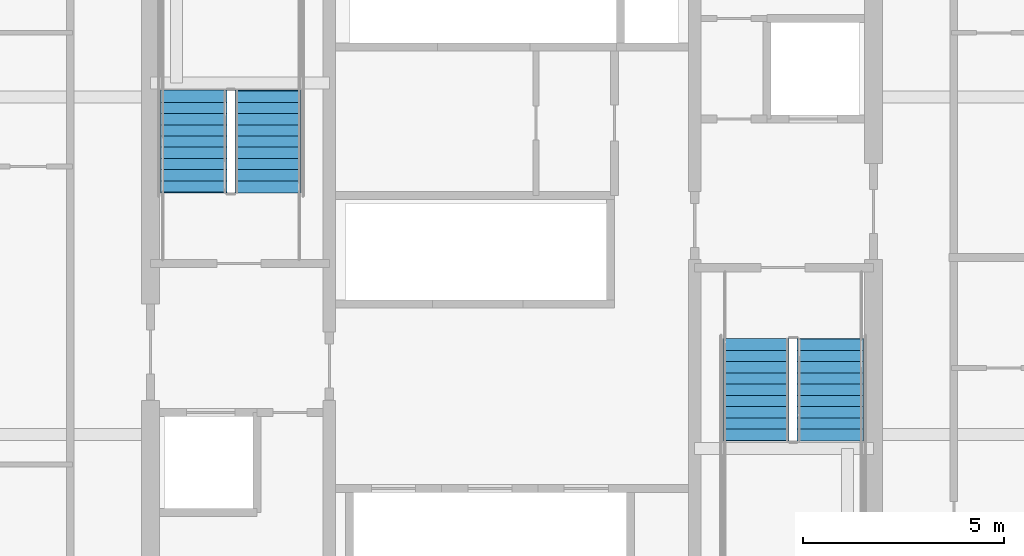
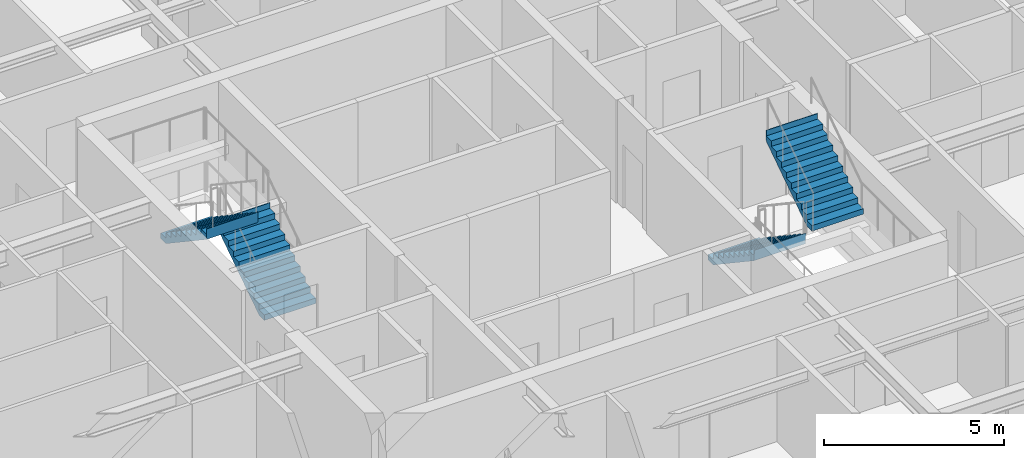
# One storey, part 28 of 34: 4 stair flights, 2 elements without a shape of their own.
"""IFC4 building model written with IfcOpenShell, lengths in metres."""

from ifc_helpers import new_model, si_unit, direction, frame, origin, place, context, subcontext, project, spatial, polygons, material, type_object, element, aggregate, save


model = new_model("IFC4")

# Units and contexts
model_context = context("Model", 3, precision=1e-05, world=origin(), true_north=direction((0.0, 1.0)))
body_context = subcontext(model_context, "Body", "Model", "MODEL_VIEW")
ifc_project = project(units=[si_unit("LENGTHUNIT", "METRE"), si_unit("AREAUNIT", "SQUARE_METRE"), si_unit("VOLUMEUNIT", "CUBIC_METRE"), si_unit("PLANEANGLEUNIT", "RADIAN"), si_unit("MASSUNIT", "GRAM", prefix="KILO")], contexts=[model_context])

# Site, building, storey
site_placement = place(None, origin())
site = spatial("IfcSite", under=ifc_project, at=site_placement, CompositionType="ELEMENT")
building_placement = place(site_placement, origin())
building = spatial("IfcBuilding", under=site, at=building_placement, Name="Serunith Strait Residences", CompositionType="ELEMENT")
storey_placement = place(building_placement, frame((0.0, 0.0, 101.699951171875)))
storey = spatial("IfcBuildingStorey", under=building, at=storey_placement, Name="L25", CompositionType="ELEMENT", Elevation=101.699951171875)

# Stair, stair flights
ifc_material = material(Name="Concrete C50/60", Category="concrete")
stair_type_1 = type_object("IfcStairType", Name="STR-CORE-1", PredefinedType="HALF_TURN_STAIR", material=ifc_material)
stair_1_placement = place(storey_placement, origin())
stair_1 = element("IfcStair", 1, at=stair_1_placement, inside=storey, type_object=stair_type_1, Name="L25 Protected Escape Stair ST-1", PredefinedType="HALF_TURN_STAIR")
stair_flight_type_1 = type_object("IfcStairFlightType", Name="FLT-CORE-1", PredefinedType="STRAIGHT", material=ifc_material)
stair_flight_1_placement = place(storey_placement, frame((26.324951171875, 27.030029296875, 0.0), z_axis=(0.0, 0.0, 1.0), x_axis=(0.0, 1.0, 0.0)))
stair_flight_1 = element("IfcStairFlight", 2, at=stair_flight_1_placement, type_object=stair_flight_type_1, Name="ST-1 flight 1", NumberOfRisers=10, NumberOfTreads=9, PredefinedType="STRAIGHT", RiserHeight=0.1875, TreadLength=0.28, context=body_context, shape_type="Tessellation", body=[
    polygons([(-0.02001953125, -0.824951171875, 0.0), (-0.02001953125, -0.824951171875, 0.1875), (0.280029296875, -0.824951171875, 0.1875), (0.280029296875, -0.824951171875, 0.375), (0.56005859375, -0.824951171875, 0.375), (0.56005859375, -0.824951171875, 0.5625), (0.840087890625, -0.824951171875, 0.5625), (0.840087890625, -0.824951171875, 0.75), (1.1201171875, -0.824951171875, 0.75), (1.1201171875, -0.824951171875, 0.9375), (1.39990234375, -0.824951171875, 0.9375), (1.39990234375, -0.824951171875, 1.125), (1.679931640625, -0.824951171875, 1.125), (1.679931640625, -0.824951171875, 1.3125), (1.9599609375, -0.824951171875, 1.3125), (1.9599609375, -0.824951171875, 1.5), (2.239990234375, -0.824951171875, 1.5), (2.239990234375, -0.824951171875, 1.6875), (2.52001953125, -0.824951171875, 1.6875), (2.52001953125, -0.824951171875, 1.875), (2.5400390625, -0.824951171875, 1.875), (2.5400390625, -0.824951171875, 1.81494140625), (2.52001953125, -0.824951171875, 1.507080078125), (0.26953125, -0.824951171875, 0.0), (-0.02001953125, -0.41259765625, 0.0), (-0.02001953125, -0.41259765625, 0.1875), (0.280029296875, -0.41259765625, 0.1875), (0.280029296875, -0.41259765625, 0.375), (0.56005859375, -0.41259765625, 0.375), (0.56005859375, -0.41259765625, 0.5625), (0.840087890625, -0.41259765625, 0.5625), (0.840087890625, -0.41259765625, 0.75), (1.1201171875, -0.41259765625, 0.75), (1.1201171875, -0.41259765625, 0.9375), (1.39990234375, -0.41259765625, 0.9375), (1.39990234375, -0.41259765625, 1.125), (1.679931640625, -0.41259765625, 1.125), (1.679931640625, -0.41259765625, 1.3125), (1.9599609375, -0.41259765625, 1.3125), (1.9599609375, -0.41259765625, 1.5), (2.239990234375, -0.41259765625, 1.5), (2.239990234375, -0.41259765625, 1.6875), (2.52001953125, -0.41259765625, 1.6875), (2.52001953125, -0.41259765625, 1.875), (2.5400390625, -0.41259765625, 1.875), (2.5400390625, -0.41259765625, 1.81494140625), (2.52001953125, -0.41259765625, 1.507080078125), (0.26953125, -0.41259765625, 0.0), (-0.02001953125, 0.0, 0.0), (-0.02001953125, 0.0, 0.1875), (0.280029296875, 0.0, 0.1875), (0.280029296875, 0.0, 0.375), (0.56005859375, 0.0, 0.375), (0.56005859375, 0.0, 0.5625), (0.840087890625, 0.0, 0.5625), (0.840087890625, 0.0, 0.75), (1.1201171875, 0.0, 0.75), (1.1201171875, 0.0, 0.9375), (1.39990234375, 0.0, 0.9375), (1.39990234375, 0.0, 1.125), (1.679931640625, 0.0, 1.125), (1.679931640625, 0.0, 1.3125), (1.9599609375, 0.0, 1.3125), (1.9599609375, 0.0, 1.5), (2.239990234375, 0.0, 1.5), (2.239990234375, 0.0, 1.6875), (2.52001953125, 0.0, 1.6875), (2.52001953125, 0.0, 1.875), (2.5400390625, 0.0, 1.875), (2.5400390625, 0.0, 1.81494140625), (2.52001953125, 0.0, 1.507080078125), (0.26953125, 0.0, 0.0), (-0.02001953125, 0.41259765625, 0.0), (-0.02001953125, 0.41259765625, 0.1875), (0.280029296875, 0.41259765625, 0.1875), (0.280029296875, 0.41259765625, 0.375), (0.56005859375, 0.41259765625, 0.375), (0.56005859375, 0.41259765625, 0.5625), (0.840087890625, 0.41259765625, 0.5625), (0.840087890625, 0.41259765625, 0.75), (1.1201171875, 0.41259765625, 0.75), (1.1201171875, 0.41259765625, 0.9375), (1.39990234375, 0.41259765625, 0.9375), (1.39990234375, 0.41259765625, 1.125), (1.679931640625, 0.41259765625, 1.125), (1.679931640625, 0.41259765625, 1.3125), (1.9599609375, 0.41259765625, 1.3125), (1.9599609375, 0.41259765625, 1.5), (2.239990234375, 0.41259765625, 1.5), (2.239990234375, 0.41259765625, 1.6875), (2.52001953125, 0.41259765625, 1.6875), (2.52001953125, 0.41259765625, 1.875), (2.5400390625, 0.41259765625, 1.875), (2.5400390625, 0.41259765625, 1.81494140625), (2.52001953125, 0.41259765625, 1.507080078125), (0.26953125, 0.41259765625, 0.0), (-0.02001953125, 0.824951171875, 0.0), (-0.02001953125, 0.824951171875, 0.1875), (0.280029296875, 0.824951171875, 0.1875), (0.280029296875, 0.824951171875, 0.375), (0.56005859375, 0.824951171875, 0.375), (0.56005859375, 0.824951171875, 0.5625), (0.840087890625, 0.824951171875, 0.5625), (0.840087890625, 0.824951171875, 0.75), (1.1201171875, 0.824951171875, 0.75), (1.1201171875, 0.824951171875, 0.9375), (1.39990234375, 0.824951171875, 0.9375), (1.39990234375, 0.824951171875, 1.125), (1.679931640625, 0.824951171875, 1.125), (1.679931640625, 0.824951171875, 1.3125), (1.9599609375, 0.824951171875, 1.3125), (1.9599609375, 0.824951171875, 1.5), (2.239990234375, 0.824951171875, 1.5), (2.239990234375, 0.824951171875, 1.6875), (2.52001953125, 0.824951171875, 1.6875), (2.52001953125, 0.824951171875, 1.875), (2.5400390625, 0.824951171875, 1.875), (2.5400390625, 0.824951171875, 1.81494140625), (2.52001953125, 0.824951171875, 1.507080078125), (0.26953125, 0.824951171875, 0.0)], [[[1, 2, 26, 25]], [[2, 3, 27, 26]], [[3, 4, 28, 27]], [[4, 5, 29, 28]], [[5, 6, 30, 29]], [[6, 7, 31, 30]], [[7, 8, 32, 31]], [[8, 9, 33, 32]], [[9, 10, 34, 33]], [[10, 11, 35, 34]], [[11, 12, 36, 35]], [[12, 13, 37, 36]], [[13, 14, 38, 37]], [[14, 15, 39, 38]], [[15, 16, 40, 39]], [[16, 17, 41, 40]], [[17, 18, 42, 41]], [[18, 19, 43, 42]], [[19, 20, 44, 43]], [[20, 21, 45, 44]], [[21, 22, 46, 45]], [[22, 23, 47, 46]], [[23, 24, 48, 47]], [[24, 1, 25, 48]], [[25, 26, 50, 49]], [[26, 27, 51, 50]], [[27, 28, 52, 51]], [[28, 29, 53, 52]], [[29, 30, 54, 53]], [[30, 31, 55, 54]], [[31, 32, 56, 55]], [[32, 33, 57, 56]], [[33, 34, 58, 57]], [[34, 35, 59, 58]], [[35, 36, 60, 59]], [[36, 37, 61, 60]], [[37, 38, 62, 61]], [[38, 39, 63, 62]], [[39, 40, 64, 63]], [[40, 41, 65, 64]], [[41, 42, 66, 65]], [[42, 43, 67, 66]], [[43, 44, 68, 67]], [[44, 45, 69, 68]], [[45, 46, 70, 69]], [[46, 47, 71, 70]], [[47, 48, 72, 71]], [[48, 25, 49, 72]], [[49, 50, 74, 73]], [[50, 51, 75, 74]], [[51, 52, 76, 75]], [[52, 53, 77, 76]], [[53, 54, 78, 77]], [[54, 55, 79, 78]], [[55, 56, 80, 79]], [[56, 57, 81, 80]], [[57, 58, 82, 81]], [[58, 59, 83, 82]], [[59, 60, 84, 83]], [[60, 61, 85, 84]], [[61, 62, 86, 85]], [[62, 63, 87, 86]], [[63, 64, 88, 87]], [[64, 65, 89, 88]], [[65, 66, 90, 89]], [[66, 67, 91, 90]], [[67, 68, 92, 91]], [[68, 69, 93, 92]], [[69, 70, 94, 93]], [[70, 71, 95, 94]], [[71, 72, 96, 95]], [[72, 49, 73, 96]], [[73, 74, 98, 97]], [[74, 75, 99, 98]], [[75, 76, 100, 99]], [[76, 77, 101, 100]], [[77, 78, 102, 101]], [[78, 79, 103, 102]], [[79, 80, 104, 103]], [[80, 81, 105, 104]], [[81, 82, 106, 105]], [[82, 83, 107, 106]], [[83, 84, 108, 107]], [[84, 85, 109, 108]], [[85, 86, 110, 109]], [[86, 87, 111, 110]], [[87, 88, 112, 111]], [[88, 89, 113, 112]], [[89, 90, 114, 113]], [[90, 91, 115, 114]], [[91, 92, 116, 115]], [[92, 93, 117, 116]], [[93, 94, 118, 117]], [[94, 95, 119, 118]], [[95, 96, 120, 119]], [[96, 73, 97, 120]], [[24, 23, 22, 21, 20, 19, 18, 17, 16, 15, 14, 13, 12, 11, 10, 9, 8, 7, 6, 5, 4, 3, 2, 1]], [[97, 98, 99, 100, 101, 102, 103, 104, 105, 106, 107, 108, 109, 110, 111, 112, 113, 114, 115, 116, 117, 118, 119, 120]]], closed=True),
])
stair_flight_2_placement = place(storey_placement, frame((24.47509765625, 29.550048828125, 1.875), z_axis=(0.0, 0.0, 1.0), x_axis=(0.0, -1.0, 0.0)))
stair_flight_2 = element("IfcStairFlight", 3, at=stair_flight_2_placement, type_object=stair_flight_type_1, Name="ST-1 flight 2", NumberOfRisers=10, NumberOfTreads=9, PredefinedType="STRAIGHT", RiserHeight=0.1875, TreadLength=0.28, context=body_context, shape_type="Tessellation", body=[
    polygons([(-0.02001953125, -0.824951171875, 0.0), (-0.02001953125, -0.824951171875, 0.1875), (0.280029296875, -0.824951171875, 0.1875), (0.280029296875, -0.824951171875, 0.375), (0.56005859375, -0.824951171875, 0.375), (0.56005859375, -0.824951171875, 0.5625), (0.840087890625, -0.824951171875, 0.5625), (0.840087890625, -0.824951171875, 0.75), (1.1201171875, -0.824951171875, 0.75), (1.1201171875, -0.824951171875, 0.9375), (1.39990234375, -0.824951171875, 0.9375), (1.39990234375, -0.824951171875, 1.125), (1.679931640625, -0.824951171875, 1.125), (1.679931640625, -0.824951171875, 1.3125), (1.9599609375, -0.824951171875, 1.3125), (1.9599609375, -0.824951171875, 1.5), (2.239990234375, -0.824951171875, 1.5), (2.239990234375, -0.824951171875, 1.6875), (2.52001953125, -0.824951171875, 1.6875), (2.52001953125, -0.824951171875, 1.875), (2.5400390625, -0.824951171875, 1.875), (2.5400390625, -0.824951171875, 1.81494140625), (2.52001953125, -0.824951171875, 1.507080078125), (0.26953125, -0.824951171875, 0.0), (-0.02001953125, -0.41259765625, 0.0), (-0.02001953125, -0.41259765625, 0.1875), (0.280029296875, -0.41259765625, 0.1875), (0.280029296875, -0.41259765625, 0.375), (0.56005859375, -0.41259765625, 0.375), (0.56005859375, -0.41259765625, 0.5625), (0.840087890625, -0.41259765625, 0.5625), (0.840087890625, -0.41259765625, 0.75), (1.1201171875, -0.41259765625, 0.75), (1.1201171875, -0.41259765625, 0.9375), (1.39990234375, -0.41259765625, 0.9375), (1.39990234375, -0.41259765625, 1.125), (1.679931640625, -0.41259765625, 1.125), (1.679931640625, -0.41259765625, 1.3125), (1.9599609375, -0.41259765625, 1.3125), (1.9599609375, -0.41259765625, 1.5), (2.239990234375, -0.41259765625, 1.5), (2.239990234375, -0.41259765625, 1.6875), (2.52001953125, -0.41259765625, 1.6875), (2.52001953125, -0.41259765625, 1.875), (2.5400390625, -0.41259765625, 1.875), (2.5400390625, -0.41259765625, 1.81494140625), (2.52001953125, -0.41259765625, 1.507080078125), (0.26953125, -0.41259765625, 0.0), (-0.02001953125, 0.0, 0.0), (-0.02001953125, 0.0, 0.1875), (0.280029296875, 0.0, 0.1875), (0.280029296875, 0.0, 0.375), (0.56005859375, 0.0, 0.375), (0.56005859375, 0.0, 0.5625), (0.840087890625, 0.0, 0.5625), (0.840087890625, 0.0, 0.75), (1.1201171875, 0.0, 0.75), (1.1201171875, 0.0, 0.9375), (1.39990234375, 0.0, 0.9375), (1.39990234375, 0.0, 1.125), (1.679931640625, 0.0, 1.125), (1.679931640625, 0.0, 1.3125), (1.9599609375, 0.0, 1.3125), (1.9599609375, 0.0, 1.5), (2.239990234375, 0.0, 1.5), (2.239990234375, 0.0, 1.6875), (2.52001953125, 0.0, 1.6875), (2.52001953125, 0.0, 1.875), (2.5400390625, 0.0, 1.875), (2.5400390625, 0.0, 1.81494140625), (2.52001953125, 0.0, 1.507080078125), (0.26953125, 0.0, 0.0), (-0.02001953125, 0.41259765625, 0.0), (-0.02001953125, 0.41259765625, 0.1875), (0.280029296875, 0.41259765625, 0.1875), (0.280029296875, 0.41259765625, 0.375), (0.56005859375, 0.41259765625, 0.375), (0.56005859375, 0.41259765625, 0.5625), (0.840087890625, 0.41259765625, 0.5625), (0.840087890625, 0.41259765625, 0.75), (1.1201171875, 0.41259765625, 0.75), (1.1201171875, 0.41259765625, 0.9375), (1.39990234375, 0.41259765625, 0.9375), (1.39990234375, 0.41259765625, 1.125), (1.679931640625, 0.41259765625, 1.125), (1.679931640625, 0.41259765625, 1.3125), (1.9599609375, 0.41259765625, 1.3125), (1.9599609375, 0.41259765625, 1.5), (2.239990234375, 0.41259765625, 1.5), (2.239990234375, 0.41259765625, 1.6875), (2.52001953125, 0.41259765625, 1.6875), (2.52001953125, 0.41259765625, 1.875), (2.5400390625, 0.41259765625, 1.875), (2.5400390625, 0.41259765625, 1.81494140625), (2.52001953125, 0.41259765625, 1.507080078125), (0.26953125, 0.41259765625, 0.0), (-0.02001953125, 0.824951171875, 0.0), (-0.02001953125, 0.824951171875, 0.1875), (0.280029296875, 0.824951171875, 0.1875), (0.280029296875, 0.824951171875, 0.375), (0.56005859375, 0.824951171875, 0.375), (0.56005859375, 0.824951171875, 0.5625), (0.840087890625, 0.824951171875, 0.5625), (0.840087890625, 0.824951171875, 0.75), (1.1201171875, 0.824951171875, 0.75), (1.1201171875, 0.824951171875, 0.9375), (1.39990234375, 0.824951171875, 0.9375), (1.39990234375, 0.824951171875, 1.125), (1.679931640625, 0.824951171875, 1.125), (1.679931640625, 0.824951171875, 1.3125), (1.9599609375, 0.824951171875, 1.3125), (1.9599609375, 0.824951171875, 1.5), (2.239990234375, 0.824951171875, 1.5), (2.239990234375, 0.824951171875, 1.6875), (2.52001953125, 0.824951171875, 1.6875), (2.52001953125, 0.824951171875, 1.875), (2.5400390625, 0.824951171875, 1.875), (2.5400390625, 0.824951171875, 1.81494140625), (2.52001953125, 0.824951171875, 1.507080078125), (0.26953125, 0.824951171875, 0.0)], [[[1, 2, 26, 25]], [[2, 3, 27, 26]], [[3, 4, 28, 27]], [[4, 5, 29, 28]], [[5, 6, 30, 29]], [[6, 7, 31, 30]], [[7, 8, 32, 31]], [[8, 9, 33, 32]], [[9, 10, 34, 33]], [[10, 11, 35, 34]], [[11, 12, 36, 35]], [[12, 13, 37, 36]], [[13, 14, 38, 37]], [[14, 15, 39, 38]], [[15, 16, 40, 39]], [[16, 17, 41, 40]], [[17, 18, 42, 41]], [[18, 19, 43, 42]], [[19, 20, 44, 43]], [[20, 21, 45, 44]], [[21, 22, 46, 45]], [[22, 23, 47, 46]], [[23, 24, 48, 47]], [[24, 1, 25, 48]], [[25, 26, 50, 49]], [[26, 27, 51, 50]], [[27, 28, 52, 51]], [[28, 29, 53, 52]], [[29, 30, 54, 53]], [[30, 31, 55, 54]], [[31, 32, 56, 55]], [[32, 33, 57, 56]], [[33, 34, 58, 57]], [[34, 35, 59, 58]], [[35, 36, 60, 59]], [[36, 37, 61, 60]], [[37, 38, 62, 61]], [[38, 39, 63, 62]], [[39, 40, 64, 63]], [[40, 41, 65, 64]], [[41, 42, 66, 65]], [[42, 43, 67, 66]], [[43, 44, 68, 67]], [[44, 45, 69, 68]], [[45, 46, 70, 69]], [[46, 47, 71, 70]], [[47, 48, 72, 71]], [[48, 25, 49, 72]], [[49, 50, 74, 73]], [[50, 51, 75, 74]], [[51, 52, 76, 75]], [[52, 53, 77, 76]], [[53, 54, 78, 77]], [[54, 55, 79, 78]], [[55, 56, 80, 79]], [[56, 57, 81, 80]], [[57, 58, 82, 81]], [[58, 59, 83, 82]], [[59, 60, 84, 83]], [[60, 61, 85, 84]], [[61, 62, 86, 85]], [[62, 63, 87, 86]], [[63, 64, 88, 87]], [[64, 65, 89, 88]], [[65, 66, 90, 89]], [[66, 67, 91, 90]], [[67, 68, 92, 91]], [[68, 69, 93, 92]], [[69, 70, 94, 93]], [[70, 71, 95, 94]], [[71, 72, 96, 95]], [[72, 49, 73, 96]], [[73, 74, 98, 97]], [[74, 75, 99, 98]], [[75, 76, 100, 99]], [[76, 77, 101, 100]], [[77, 78, 102, 101]], [[78, 79, 103, 102]], [[79, 80, 104, 103]], [[80, 81, 105, 104]], [[81, 82, 106, 105]], [[82, 83, 107, 106]], [[83, 84, 108, 107]], [[84, 85, 109, 108]], [[85, 86, 110, 109]], [[86, 87, 111, 110]], [[87, 88, 112, 111]], [[88, 89, 113, 112]], [[89, 90, 114, 113]], [[90, 91, 115, 114]], [[91, 92, 116, 115]], [[92, 93, 117, 116]], [[93, 94, 118, 117]], [[94, 95, 119, 118]], [[95, 96, 120, 119]], [[96, 73, 97, 120]], [[24, 23, 22, 21, 20, 19, 18, 17, 16, 15, 14, 13, 12, 11, 10, 9, 8, 7, 6, 5, 4, 3, 2, 1]], [[97, 98, 99, 100, 101, 102, 103, 104, 105, 106, 107, 108, 109, 110, 111, 112, 113, 114, 115, 116, 117, 118, 119, 120]]], closed=True),
])
aggregate(stair_1, [stair_flight_1, stair_flight_2])

stair_type_2 = type_object("IfcStairType", Name="STR-CORE-2", PredefinedType="HALF_TURN_STAIR", material=ifc_material)
stair_2_placement = place(storey_placement, origin())
stair_2 = element("IfcStair", 4, at=stair_2_placement, inside=storey, type_object=stair_type_2, Name="L25 Protected Escape Stair ST-2", PredefinedType="HALF_TURN_STAIR")
stair_flight_type_2 = type_object("IfcStairFlightType", Name="FLT-CORE-2", PredefinedType="STRAIGHT", material=ifc_material)
stair_flight_3_placement = place(storey_placement, frame((38.47509765625, 23.3701171875, 0.0), z_axis=(0.0, 0.0, 1.0), x_axis=(0.0, -1.0, 0.0)))
stair_flight_3 = element("IfcStairFlight", 5, at=stair_flight_3_placement, type_object=stair_flight_type_2, Name="ST-2 flight 1", NumberOfRisers=10, NumberOfTreads=9, PredefinedType="STRAIGHT", RiserHeight=0.1875, TreadLength=0.28, context=body_context, shape_type="Tessellation", body=[
    polygons([(-0.02001953125, -0.824951171875, 0.0), (-0.02001953125, -0.824951171875, 0.1875), (0.280029296875, -0.824951171875, 0.1875), (0.280029296875, -0.824951171875, 0.375), (0.56005859375, -0.824951171875, 0.375), (0.56005859375, -0.824951171875, 0.5625), (0.840087890625, -0.824951171875, 0.5625), (0.840087890625, -0.824951171875, 0.75), (1.1201171875, -0.824951171875, 0.75), (1.1201171875, -0.824951171875, 0.9375), (1.39990234375, -0.824951171875, 0.9375), (1.39990234375, -0.824951171875, 1.125), (1.679931640625, -0.824951171875, 1.125), (1.679931640625, -0.824951171875, 1.3125), (1.9599609375, -0.824951171875, 1.3125), (1.9599609375, -0.824951171875, 1.5), (2.239990234375, -0.824951171875, 1.5), (2.239990234375, -0.824951171875, 1.6875), (2.52001953125, -0.824951171875, 1.6875), (2.52001953125, -0.824951171875, 1.875), (2.5400390625, -0.824951171875, 1.875), (2.5400390625, -0.824951171875, 1.81494140625), (2.52001953125, -0.824951171875, 1.507080078125), (0.26953125, -0.824951171875, 0.0), (-0.02001953125, -0.41259765625, 0.0), (-0.02001953125, -0.41259765625, 0.1875), (0.280029296875, -0.41259765625, 0.1875), (0.280029296875, -0.41259765625, 0.375), (0.56005859375, -0.41259765625, 0.375), (0.56005859375, -0.41259765625, 0.5625), (0.840087890625, -0.41259765625, 0.5625), (0.840087890625, -0.41259765625, 0.75), (1.1201171875, -0.41259765625, 0.75), (1.1201171875, -0.41259765625, 0.9375), (1.39990234375, -0.41259765625, 0.9375), (1.39990234375, -0.41259765625, 1.125), (1.679931640625, -0.41259765625, 1.125), (1.679931640625, -0.41259765625, 1.3125), (1.9599609375, -0.41259765625, 1.3125), (1.9599609375, -0.41259765625, 1.5), (2.239990234375, -0.41259765625, 1.5), (2.239990234375, -0.41259765625, 1.6875), (2.52001953125, -0.41259765625, 1.6875), (2.52001953125, -0.41259765625, 1.875), (2.5400390625, -0.41259765625, 1.875), (2.5400390625, -0.41259765625, 1.81494140625), (2.52001953125, -0.41259765625, 1.507080078125), (0.26953125, -0.41259765625, 0.0), (-0.02001953125, 0.0, 0.0), (-0.02001953125, 0.0, 0.1875), (0.280029296875, 0.0, 0.1875), (0.280029296875, 0.0, 0.375), (0.56005859375, 0.0, 0.375), (0.56005859375, 0.0, 0.5625), (0.840087890625, 0.0, 0.5625), (0.840087890625, 0.0, 0.75), (1.1201171875, 0.0, 0.75), (1.1201171875, 0.0, 0.9375), (1.39990234375, 0.0, 0.9375), (1.39990234375, 0.0, 1.125), (1.679931640625, 0.0, 1.125), (1.679931640625, 0.0, 1.3125), (1.9599609375, 0.0, 1.3125), (1.9599609375, 0.0, 1.5), (2.239990234375, 0.0, 1.5), (2.239990234375, 0.0, 1.6875), (2.52001953125, 0.0, 1.6875), (2.52001953125, 0.0, 1.875), (2.5400390625, 0.0, 1.875), (2.5400390625, 0.0, 1.81494140625), (2.52001953125, 0.0, 1.507080078125), (0.26953125, 0.0, 0.0), (-0.02001953125, 0.41259765625, 0.0), (-0.02001953125, 0.41259765625, 0.1875), (0.280029296875, 0.41259765625, 0.1875), (0.280029296875, 0.41259765625, 0.375), (0.56005859375, 0.41259765625, 0.375), (0.56005859375, 0.41259765625, 0.5625), (0.840087890625, 0.41259765625, 0.5625), (0.840087890625, 0.41259765625, 0.75), (1.1201171875, 0.41259765625, 0.75), (1.1201171875, 0.41259765625, 0.9375), (1.39990234375, 0.41259765625, 0.9375), (1.39990234375, 0.41259765625, 1.125), (1.679931640625, 0.41259765625, 1.125), (1.679931640625, 0.41259765625, 1.3125), (1.9599609375, 0.41259765625, 1.3125), (1.9599609375, 0.41259765625, 1.5), (2.239990234375, 0.41259765625, 1.5), (2.239990234375, 0.41259765625, 1.6875), (2.52001953125, 0.41259765625, 1.6875), (2.52001953125, 0.41259765625, 1.875), (2.5400390625, 0.41259765625, 1.875), (2.5400390625, 0.41259765625, 1.81494140625), (2.52001953125, 0.41259765625, 1.507080078125), (0.26953125, 0.41259765625, 0.0), (-0.02001953125, 0.824951171875, 0.0), (-0.02001953125, 0.824951171875, 0.1875), (0.280029296875, 0.824951171875, 0.1875), (0.280029296875, 0.824951171875, 0.375), (0.56005859375, 0.824951171875, 0.375), (0.56005859375, 0.824951171875, 0.5625), (0.840087890625, 0.824951171875, 0.5625), (0.840087890625, 0.824951171875, 0.75), (1.1201171875, 0.824951171875, 0.75), (1.1201171875, 0.824951171875, 0.9375), (1.39990234375, 0.824951171875, 0.9375), (1.39990234375, 0.824951171875, 1.125), (1.679931640625, 0.824951171875, 1.125), (1.679931640625, 0.824951171875, 1.3125), (1.9599609375, 0.824951171875, 1.3125), (1.9599609375, 0.824951171875, 1.5), (2.239990234375, 0.824951171875, 1.5), (2.239990234375, 0.824951171875, 1.6875), (2.52001953125, 0.824951171875, 1.6875), (2.52001953125, 0.824951171875, 1.875), (2.5400390625, 0.824951171875, 1.875), (2.5400390625, 0.824951171875, 1.81494140625), (2.52001953125, 0.824951171875, 1.507080078125), (0.26953125, 0.824951171875, 0.0)], [[[1, 2, 26, 25]], [[2, 3, 27, 26]], [[3, 4, 28, 27]], [[4, 5, 29, 28]], [[5, 6, 30, 29]], [[6, 7, 31, 30]], [[7, 8, 32, 31]], [[8, 9, 33, 32]], [[9, 10, 34, 33]], [[10, 11, 35, 34]], [[11, 12, 36, 35]], [[12, 13, 37, 36]], [[13, 14, 38, 37]], [[14, 15, 39, 38]], [[15, 16, 40, 39]], [[16, 17, 41, 40]], [[17, 18, 42, 41]], [[18, 19, 43, 42]], [[19, 20, 44, 43]], [[20, 21, 45, 44]], [[21, 22, 46, 45]], [[22, 23, 47, 46]], [[23, 24, 48, 47]], [[24, 1, 25, 48]], [[25, 26, 50, 49]], [[26, 27, 51, 50]], [[27, 28, 52, 51]], [[28, 29, 53, 52]], [[29, 30, 54, 53]], [[30, 31, 55, 54]], [[31, 32, 56, 55]], [[32, 33, 57, 56]], [[33, 34, 58, 57]], [[34, 35, 59, 58]], [[35, 36, 60, 59]], [[36, 37, 61, 60]], [[37, 38, 62, 61]], [[38, 39, 63, 62]], [[39, 40, 64, 63]], [[40, 41, 65, 64]], [[41, 42, 66, 65]], [[42, 43, 67, 66]], [[43, 44, 68, 67]], [[44, 45, 69, 68]], [[45, 46, 70, 69]], [[46, 47, 71, 70]], [[47, 48, 72, 71]], [[48, 25, 49, 72]], [[49, 50, 74, 73]], [[50, 51, 75, 74]], [[51, 52, 76, 75]], [[52, 53, 77, 76]], [[53, 54, 78, 77]], [[54, 55, 79, 78]], [[55, 56, 80, 79]], [[56, 57, 81, 80]], [[57, 58, 82, 81]], [[58, 59, 83, 82]], [[59, 60, 84, 83]], [[60, 61, 85, 84]], [[61, 62, 86, 85]], [[62, 63, 87, 86]], [[63, 64, 88, 87]], [[64, 65, 89, 88]], [[65, 66, 90, 89]], [[66, 67, 91, 90]], [[67, 68, 92, 91]], [[68, 69, 93, 92]], [[69, 70, 94, 93]], [[70, 71, 95, 94]], [[71, 72, 96, 95]], [[72, 49, 73, 96]], [[73, 74, 98, 97]], [[74, 75, 99, 98]], [[75, 76, 100, 99]], [[76, 77, 101, 100]], [[77, 78, 102, 101]], [[78, 79, 103, 102]], [[79, 80, 104, 103]], [[80, 81, 105, 104]], [[81, 82, 106, 105]], [[82, 83, 107, 106]], [[83, 84, 108, 107]], [[84, 85, 109, 108]], [[85, 86, 110, 109]], [[86, 87, 111, 110]], [[87, 88, 112, 111]], [[88, 89, 113, 112]], [[89, 90, 114, 113]], [[90, 91, 115, 114]], [[91, 92, 116, 115]], [[92, 93, 117, 116]], [[93, 94, 118, 117]], [[94, 95, 119, 118]], [[95, 96, 120, 119]], [[96, 73, 97, 120]], [[24, 23, 22, 21, 20, 19, 18, 17, 16, 15, 14, 13, 12, 11, 10, 9, 8, 7, 6, 5, 4, 3, 2, 1]], [[97, 98, 99, 100, 101, 102, 103, 104, 105, 106, 107, 108, 109, 110, 111, 112, 113, 114, 115, 116, 117, 118, 119, 120]]], closed=True),
])
stair_flight_4_placement = place(storey_placement, frame((40.324951171875, 20.85009765625, 1.875), z_axis=(0.0, 0.0, 1.0), x_axis=(0.0, 1.0, 0.0)))
stair_flight_4 = element("IfcStairFlight", 6, at=stair_flight_4_placement, type_object=stair_flight_type_2, Name="ST-2 flight 2", NumberOfRisers=10, NumberOfTreads=9, PredefinedType="STRAIGHT", RiserHeight=0.1875, TreadLength=0.28, context=body_context, shape_type="Tessellation", body=[
    polygons([(-0.02001953125, -0.824951171875, 0.0), (-0.02001953125, -0.824951171875, 0.1875), (0.280029296875, -0.824951171875, 0.1875), (0.280029296875, -0.824951171875, 0.375), (0.56005859375, -0.824951171875, 0.375), (0.56005859375, -0.824951171875, 0.5625), (0.840087890625, -0.824951171875, 0.5625), (0.840087890625, -0.824951171875, 0.75), (1.1201171875, -0.824951171875, 0.75), (1.1201171875, -0.824951171875, 0.9375), (1.39990234375, -0.824951171875, 0.9375), (1.39990234375, -0.824951171875, 1.125), (1.679931640625, -0.824951171875, 1.125), (1.679931640625, -0.824951171875, 1.3125), (1.9599609375, -0.824951171875, 1.3125), (1.9599609375, -0.824951171875, 1.5), (2.239990234375, -0.824951171875, 1.5), (2.239990234375, -0.824951171875, 1.6875), (2.52001953125, -0.824951171875, 1.6875), (2.52001953125, -0.824951171875, 1.875), (2.5400390625, -0.824951171875, 1.875), (2.5400390625, -0.824951171875, 1.81494140625), (2.52001953125, -0.824951171875, 1.507080078125), (0.26953125, -0.824951171875, 0.0), (-0.02001953125, -0.41259765625, 0.0), (-0.02001953125, -0.41259765625, 0.1875), (0.280029296875, -0.41259765625, 0.1875), (0.280029296875, -0.41259765625, 0.375), (0.56005859375, -0.41259765625, 0.375), (0.56005859375, -0.41259765625, 0.5625), (0.840087890625, -0.41259765625, 0.5625), (0.840087890625, -0.41259765625, 0.75), (1.1201171875, -0.41259765625, 0.75), (1.1201171875, -0.41259765625, 0.9375), (1.39990234375, -0.41259765625, 0.9375), (1.39990234375, -0.41259765625, 1.125), (1.679931640625, -0.41259765625, 1.125), (1.679931640625, -0.41259765625, 1.3125), (1.9599609375, -0.41259765625, 1.3125), (1.9599609375, -0.41259765625, 1.5), (2.239990234375, -0.41259765625, 1.5), (2.239990234375, -0.41259765625, 1.6875), (2.52001953125, -0.41259765625, 1.6875), (2.52001953125, -0.41259765625, 1.875), (2.5400390625, -0.41259765625, 1.875), (2.5400390625, -0.41259765625, 1.81494140625), (2.52001953125, -0.41259765625, 1.507080078125), (0.26953125, -0.41259765625, 0.0), (-0.02001953125, 0.0, 0.0), (-0.02001953125, 0.0, 0.1875), (0.280029296875, 0.0, 0.1875), (0.280029296875, 0.0, 0.375), (0.56005859375, 0.0, 0.375), (0.56005859375, 0.0, 0.5625), (0.840087890625, 0.0, 0.5625), (0.840087890625, 0.0, 0.75), (1.1201171875, 0.0, 0.75), (1.1201171875, 0.0, 0.9375), (1.39990234375, 0.0, 0.9375), (1.39990234375, 0.0, 1.125), (1.679931640625, 0.0, 1.125), (1.679931640625, 0.0, 1.3125), (1.9599609375, 0.0, 1.3125), (1.9599609375, 0.0, 1.5), (2.239990234375, 0.0, 1.5), (2.239990234375, 0.0, 1.6875), (2.52001953125, 0.0, 1.6875), (2.52001953125, 0.0, 1.875), (2.5400390625, 0.0, 1.875), (2.5400390625, 0.0, 1.81494140625), (2.52001953125, 0.0, 1.507080078125), (0.26953125, 0.0, 0.0), (-0.02001953125, 0.41259765625, 0.0), (-0.02001953125, 0.41259765625, 0.1875), (0.280029296875, 0.41259765625, 0.1875), (0.280029296875, 0.41259765625, 0.375), (0.56005859375, 0.41259765625, 0.375), (0.56005859375, 0.41259765625, 0.5625), (0.840087890625, 0.41259765625, 0.5625), (0.840087890625, 0.41259765625, 0.75), (1.1201171875, 0.41259765625, 0.75), (1.1201171875, 0.41259765625, 0.9375), (1.39990234375, 0.41259765625, 0.9375), (1.39990234375, 0.41259765625, 1.125), (1.679931640625, 0.41259765625, 1.125), (1.679931640625, 0.41259765625, 1.3125), (1.9599609375, 0.41259765625, 1.3125), (1.9599609375, 0.41259765625, 1.5), (2.239990234375, 0.41259765625, 1.5), (2.239990234375, 0.41259765625, 1.6875), (2.52001953125, 0.41259765625, 1.6875), (2.52001953125, 0.41259765625, 1.875), (2.5400390625, 0.41259765625, 1.875), (2.5400390625, 0.41259765625, 1.81494140625), (2.52001953125, 0.41259765625, 1.507080078125), (0.26953125, 0.41259765625, 0.0), (-0.02001953125, 0.824951171875, 0.0), (-0.02001953125, 0.824951171875, 0.1875), (0.280029296875, 0.824951171875, 0.1875), (0.280029296875, 0.824951171875, 0.375), (0.56005859375, 0.824951171875, 0.375), (0.56005859375, 0.824951171875, 0.5625), (0.840087890625, 0.824951171875, 0.5625), (0.840087890625, 0.824951171875, 0.75), (1.1201171875, 0.824951171875, 0.75), (1.1201171875, 0.824951171875, 0.9375), (1.39990234375, 0.824951171875, 0.9375), (1.39990234375, 0.824951171875, 1.125), (1.679931640625, 0.824951171875, 1.125), (1.679931640625, 0.824951171875, 1.3125), (1.9599609375, 0.824951171875, 1.3125), (1.9599609375, 0.824951171875, 1.5), (2.239990234375, 0.824951171875, 1.5), (2.239990234375, 0.824951171875, 1.6875), (2.52001953125, 0.824951171875, 1.6875), (2.52001953125, 0.824951171875, 1.875), (2.5400390625, 0.824951171875, 1.875), (2.5400390625, 0.824951171875, 1.81494140625), (2.52001953125, 0.824951171875, 1.507080078125), (0.26953125, 0.824951171875, 0.0)], [[[1, 2, 26, 25]], [[2, 3, 27, 26]], [[3, 4, 28, 27]], [[4, 5, 29, 28]], [[5, 6, 30, 29]], [[6, 7, 31, 30]], [[7, 8, 32, 31]], [[8, 9, 33, 32]], [[9, 10, 34, 33]], [[10, 11, 35, 34]], [[11, 12, 36, 35]], [[12, 13, 37, 36]], [[13, 14, 38, 37]], [[14, 15, 39, 38]], [[15, 16, 40, 39]], [[16, 17, 41, 40]], [[17, 18, 42, 41]], [[18, 19, 43, 42]], [[19, 20, 44, 43]], [[20, 21, 45, 44]], [[21, 22, 46, 45]], [[22, 23, 47, 46]], [[23, 24, 48, 47]], [[24, 1, 25, 48]], [[25, 26, 50, 49]], [[26, 27, 51, 50]], [[27, 28, 52, 51]], [[28, 29, 53, 52]], [[29, 30, 54, 53]], [[30, 31, 55, 54]], [[31, 32, 56, 55]], [[32, 33, 57, 56]], [[33, 34, 58, 57]], [[34, 35, 59, 58]], [[35, 36, 60, 59]], [[36, 37, 61, 60]], [[37, 38, 62, 61]], [[38, 39, 63, 62]], [[39, 40, 64, 63]], [[40, 41, 65, 64]], [[41, 42, 66, 65]], [[42, 43, 67, 66]], [[43, 44, 68, 67]], [[44, 45, 69, 68]], [[45, 46, 70, 69]], [[46, 47, 71, 70]], [[47, 48, 72, 71]], [[48, 25, 49, 72]], [[49, 50, 74, 73]], [[50, 51, 75, 74]], [[51, 52, 76, 75]], [[52, 53, 77, 76]], [[53, 54, 78, 77]], [[54, 55, 79, 78]], [[55, 56, 80, 79]], [[56, 57, 81, 80]], [[57, 58, 82, 81]], [[58, 59, 83, 82]], [[59, 60, 84, 83]], [[60, 61, 85, 84]], [[61, 62, 86, 85]], [[62, 63, 87, 86]], [[63, 64, 88, 87]], [[64, 65, 89, 88]], [[65, 66, 90, 89]], [[66, 67, 91, 90]], [[67, 68, 92, 91]], [[68, 69, 93, 92]], [[69, 70, 94, 93]], [[70, 71, 95, 94]], [[71, 72, 96, 95]], [[72, 49, 73, 96]], [[73, 74, 98, 97]], [[74, 75, 99, 98]], [[75, 76, 100, 99]], [[76, 77, 101, 100]], [[77, 78, 102, 101]], [[78, 79, 103, 102]], [[79, 80, 104, 103]], [[80, 81, 105, 104]], [[81, 82, 106, 105]], [[82, 83, 107, 106]], [[83, 84, 108, 107]], [[84, 85, 109, 108]], [[85, 86, 110, 109]], [[86, 87, 111, 110]], [[87, 88, 112, 111]], [[88, 89, 113, 112]], [[89, 90, 114, 113]], [[90, 91, 115, 114]], [[91, 92, 116, 115]], [[92, 93, 117, 116]], [[93, 94, 118, 117]], [[94, 95, 119, 118]], [[95, 96, 120, 119]], [[96, 73, 97, 120]], [[24, 23, 22, 21, 20, 19, 18, 17, 16, 15, 14, 13, 12, 11, 10, 9, 8, 7, 6, 5, 4, 3, 2, 1]], [[97, 98, 99, 100, 101, 102, 103, 104, 105, 106, 107, 108, 109, 110, 111, 112, 113, 114, 115, 116, 117, 118, 119, 120]]], closed=True),
])
aggregate(stair_2, [stair_flight_3, stair_flight_4])

save(model, "model.ifc")
